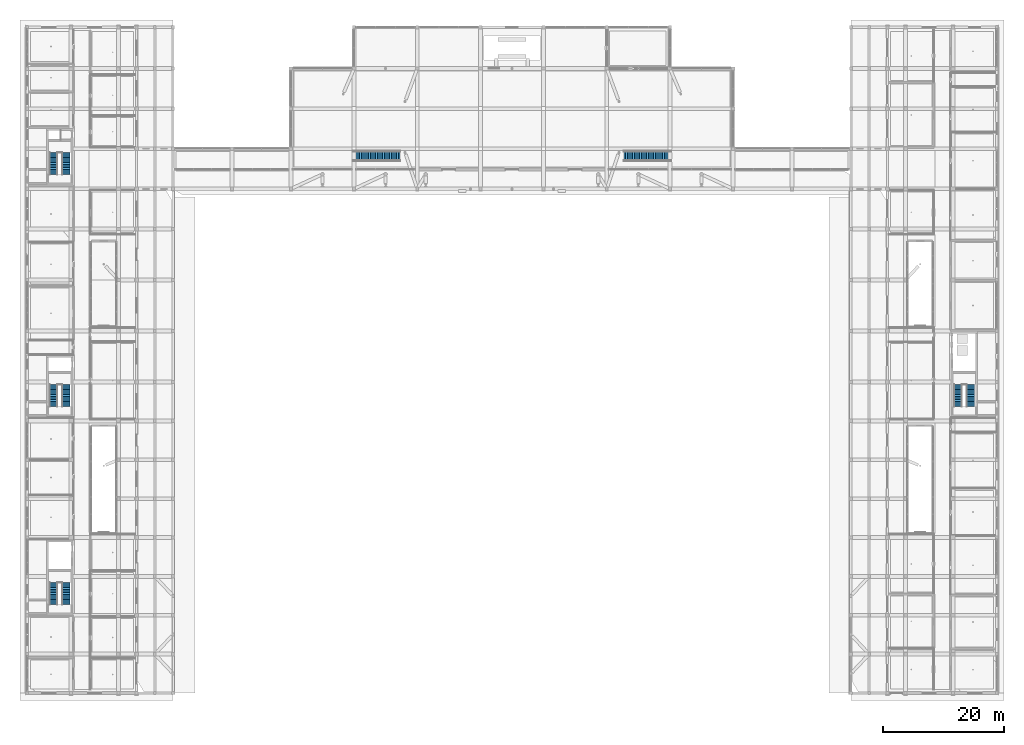
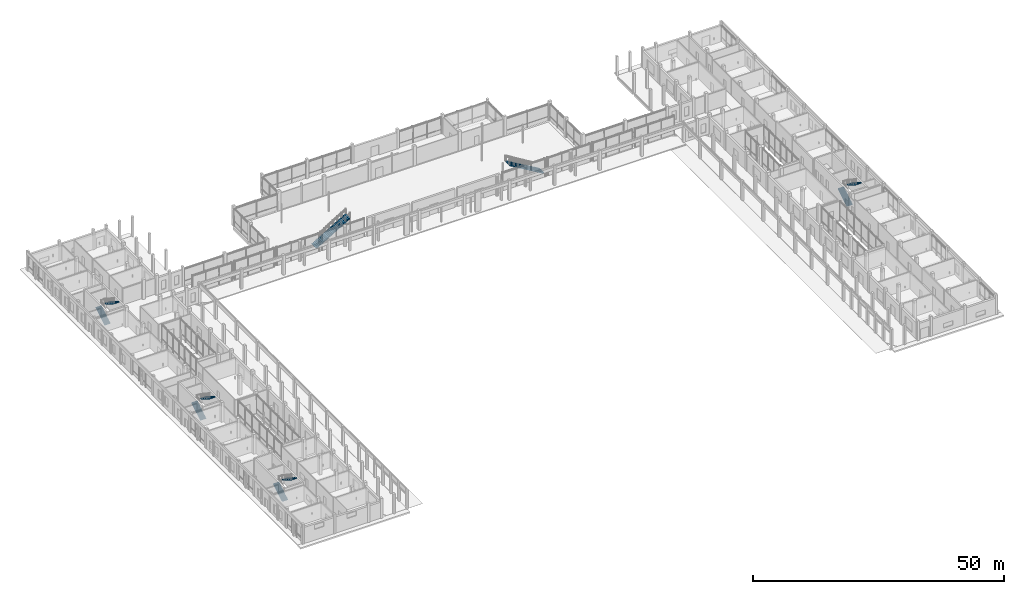
# One storey, part 57 of 88: 10 stair flights, 6 elements without a shape of their own.
"""IFC4 building model written with IfcOpenShell, lengths in metres."""

import ifcopenshell
import ifcopenshell.guid

model = None  # the IFC model being written
_history = None  # IfcOwnerHistory: only IFC2X3 demands one
_inside = {}  # id of a spatial element -> (the spatial element, [elements in it])
_under = {}  # id of a project, library or spatial element -> (it, [spatial elements below it])
_declared = {}  # id of a project -> (the project, [libraries it declares])
_typed = {}  # id of a type object -> (the type object, [elements of that type])
_made_of = {}  # id of a material, layer set ... -> (it, [elements and type objects made of it])


def new_model(schema):
    """Start an empty IFC model of exactly this schema.

    Asked for "IFC4X3", IfcOpenShell would pick the latest addendum, in which some entities
    have other attributes; the version numbers below select the first issue.
    IFC2X3 requires an IfcOwnerHistory on every rooted entity: one is made here for all.
    """
    global model, _history
    if schema == "IFC4X3":
        model = ifcopenshell.file(schema_version=(4, 3, 0, 0))
    else:
        model = ifcopenshell.file(schema=schema)
    _inside.clear()
    _under.clear()
    _declared.clear()
    _typed.clear()
    _made_of.clear()
    _history = None
    if model.schema == "IFC2X3":
        org = make("IfcOrganization", Name="unknown")
        user = make(
            "IfcPersonAndOrganization",
            ThePerson=make("IfcPerson", FamilyName="unknown"),
            TheOrganization=org,
        )
        app = make(
            "IfcApplication",
            ApplicationDeveloper=org,
            Version="unknown",
            ApplicationFullName="unknown",
            ApplicationIdentifier="unknown",
        )
        _history = make(
            "IfcOwnerHistory",
            OwningUser=user,
            OwningApplication=app,
            ChangeAction="ADDED",
            CreationDate=0,
        )
    return model


def make(cls, **values):
    """One entity of the class cls with the attributes given. An attribute that is None is left unset."""
    return model.create_entity(
        cls, **{name: value for name, value in values.items() if value is not None}
    )


def rooted(cls, **values):
    """An entity with a GlobalId (a new one), such as an element, a storey or a relation."""
    return make(cls, GlobalId=ifcopenshell.guid.new(), OwnerHistory=_history, **values)


def si_unit(unit_type, name, prefix=None):
    """IfcSIUnit, for example si_unit("LENGTHUNIT", "METRE", prefix="MILLI")."""
    return make("IfcSIUnit", UnitType=unit_type, Prefix=prefix, Name=name)


def derived_unit(unit_type, elements):
    """IfcDerivedUnit: a product of units, each with its exponent."""
    return make(
        "IfcDerivedUnit",
        Elements=[
            make("IfcDerivedUnitElement", Unit=unit, Exponent=power)
            for unit, power in elements
        ],
        UnitType=unit_type,
    )


def assignment(units):
    """IfcUnitAssignment: the units of a project."""
    return None if units is None else make("IfcUnitAssignment", Units=units)


def point(xyz):
    """IfcCartesianPoint."""
    return None if xyz is None else make("IfcCartesianPoint", Coordinates=xyz)


def direction(xyz):
    """IfcDirection."""
    return None if xyz is None else make("IfcDirection", DirectionRatios=xyz)


def frame(location, z_axis=None, x_axis=None):
    """IfcAxis2Placement3D, a coordinate frame: its origin and axes. An axis left out is left unset."""
    return make(
        "IfcAxis2Placement3D",
        Location=point(location),
        Axis=direction(z_axis),
        RefDirection=direction(x_axis),
    )


def origin():
    """The frame at (0, 0, 0) with its axes left unset."""
    return frame((0.0, 0.0, 0.0))


def place(relative_to, where):
    """IfcLocalPlacement: puts the frame where relative to a parent placement (None: the world)."""
    return make(
        "IfcLocalPlacement", PlacementRelTo=relative_to, RelativePlacement=where
    )


def context(
    kind, dimensions, precision=None, world=None, true_north=None, identifier=None
):
    """IfcGeometricRepresentationContext, for example the 3D "Model" context."""
    return make(
        "IfcGeometricRepresentationContext",
        ContextIdentifier=identifier,
        ContextType=kind,
        CoordinateSpaceDimension=dimensions,
        Precision=precision,
        WorldCoordinateSystem=world,
        TrueNorth=true_north,
    )


def subcontext(parent, identifier, kind, view, scale=None):
    """IfcGeometricRepresentationSubContext, for example "Body" below "Model"."""
    return make(
        "IfcGeometricRepresentationSubContext",
        ContextIdentifier=identifier,
        ContextType=kind,
        ParentContext=parent,
        TargetScale=scale,
        TargetView=view,
    )


def project(units=None, contexts=None):
    """IfcProject with its units and contexts."""
    return rooted(
        "IfcProject",
        Name="project",
        RepresentationContexts=contexts,
        UnitsInContext=assignment(units),
    )


def spatial(cls, under=None, at=None, **own):
    """A site, building, storey or space (cls), placed at a placement, below another one or the project."""
    s = rooted(cls, ObjectPlacement=at, **own)
    if under is not None:
        _under.setdefault(under.id(), (under, []))[1].append(s)
    return s


def polyline(points):
    """IfcPolyline through the points."""
    return make("IfcPolyline", Points=[point(p) for p in points])


def outline(outer, holes=None, kind="AREA"):
    """IfcArbitraryClosedProfileDef: a profile drawn as a closed curve; with holes, ...WithVoids."""
    if holes is None:
        return make("IfcArbitraryClosedProfileDef", ProfileType=kind, OuterCurve=outer)
    return make(
        "IfcArbitraryProfileDefWithVoids",
        ProfileType=kind,
        OuterCurve=outer,
        InnerCurves=holes,
    )


def extrude(swept, where, along, depth):
    """IfcExtrudedAreaSolid: the profile swept, set in the frame where, extruded along a direction by depth."""
    return make(
        "IfcExtrudedAreaSolid",
        SweptArea=swept,
        Position=where,
        ExtrudedDirection=direction(along),
        Depth=depth,
    )


def shape(context_of_items, identifier, shape_type, items):
    """IfcShapeRepresentation: the items that make up one representation, for example the "Body"."""
    return make(
        "IfcShapeRepresentation",
        ContextOfItems=context_of_items,
        RepresentationIdentifier=identifier,
        RepresentationType=shape_type,
        Items=items,
    )


def material(Name=None, Category=None):
    """IfcMaterial."""
    return make("IfcMaterial", Name=Name, Category=Category)


def made_of(thing, what):
    """Note that an element or type object is made of a material, layer set ...; save() writes the relation."""
    if what is not None:
        _made_of.setdefault(what.id(), (what, []))[1].append(thing)
    return thing


def type_object(cls, material=None, **own):
    """A type object (cls), such as IfcWallType, which elements share."""
    return made_of(rooted(cls, **own), material)


def element(
    cls,
    number,
    at=None,
    inside=None,
    cuts=None,
    type_object=None,
    material=None,
    context=None,
    identifier="Body",
    shape_type=None,
    held_by="IfcProductDefinitionShape",
    body=None,
    shapes=None,
    **own,
):
    """One element of the class cls, such as IfcWall. Its Tag is "e" and its number.

    at: its placement. inside: the storey or other place that contains it. cuts: it is an
    opening in that element (IfcRelVoidsElement). A single representation is given by context,
    identifier, shape_type and body (its items); several are given by shapes. held_by: the class
    of the entity that holds the representations. save() writes the other relations.
    """
    e = rooted(cls, Tag="e%d" % number, ObjectPlacement=at, **own)
    if body is not None:
        shapes = [shape(context, identifier, shape_type, body)]
    if shapes is not None:
        e.Representation = make(held_by, Representations=shapes)
    if inside is not None:
        _inside.setdefault(inside.id(), (inside, []))[1].append(e)
    if cuts is not None:
        rooted(
            "IfcRelVoidsElement", RelatingBuildingElement=cuts, RelatedOpeningElement=e
        )
    if type_object is not None:
        _typed.setdefault(type_object.id(), (type_object, []))[1].append(e)
    return made_of(e, material)


def aggregate(whole, parts):
    """IfcRelAggregates: a whole, such as a stair, and the parts it consists of."""
    return rooted("IfcRelAggregates", RelatingObject=whole, RelatedObjects=parts)


def save(model, path):
    """Write the relations noted so far, then the file.

    IfcRelAggregates (storeys below a building ...), IfcRelContainedInSpatialStructure (elements
    in a storey), IfcRelDefinesByType, IfcRelAssociatesMaterial and IfcRelDeclares: one each for
    every whole, place, type object, material and project.
    """
    for whole, parts in _under.values():
        aggregate(whole, parts)
    for where, things in _inside.values():
        rooted(
            "IfcRelContainedInSpatialStructure",
            RelatedElements=things,
            RelatingStructure=where,
        )
    for kind, things in _typed.values():
        rooted("IfcRelDefinesByType", RelatedObjects=things, RelatingType=kind)
    for what, things in _made_of.values():
        rooted("IfcRelAssociatesMaterial", RelatedObjects=things, RelatingMaterial=what)
    for by, libraries in _declared.values():
        rooted("IfcRelDeclares", RelatingContext=by, RelatedDefinitions=libraries)
    model.write(path)


model = new_model("IFC4")

# Units and contexts
model_context = context("Model", 3, precision=1e-05, world=origin(), true_north=direction((0.0, 1.0)))
body_context = subcontext(model_context, "Body", "Model", "MODEL_VIEW")
ifc_project = project(units=[si_unit("LENGTHUNIT", "METRE"), si_unit("AREAUNIT", "SQUARE_METRE"), si_unit("VOLUMEUNIT", "CUBIC_METRE"), si_unit("PLANEANGLEUNIT", "RADIAN"), si_unit("MASSUNIT", "GRAM", prefix="KILO"), derived_unit("THERMALTRANSMITTANCEUNIT", [(si_unit("POWERUNIT", "WATT"), 1), (si_unit("LENGTHUNIT", "METRE"), -2), (si_unit("THERMODYNAMICTEMPERATUREUNIT", "KELVIN"), -1)])], contexts=[model_context])

# Site, building, storey
site_placement = place(None, origin())
site = spatial("IfcSite", under=ifc_project, at=site_placement, CompositionType="ELEMENT")
building_placement = place(site_placement, origin())
building = spatial("IfcBuilding", under=site, at=building_placement, Name="Braskholm Square Health Centre", CompositionType="ELEMENT")
storey_placement = place(building_placement, origin())
storey = spatial("IfcBuildingStorey", under=building, at=storey_placement, Name="L01", CompositionType="ELEMENT", Elevation=0.0)

# Stair, stair flights
ifc_material = material(Name="Concrete C35/45 (f'c = 35 MPa)", Category="concrete")
stair_type_1 = type_object("IfcStairType", Name="ExitReturnStairL01", PredefinedType="HALF_TURN_STAIR", material=ifc_material)
stair_1_placement = place(storey_placement, origin())
stair_1 = element("IfcStair", 1, at=stair_1_placement, inside=storey, type_object=stair_type_1, Name="Enclosed exit stair ST-01 L01 to L02", PredefinedType="HALF_TURN_STAIR")
stair_flight_type_1 = type_object("IfcStairFlightType", Name="ExitStairFlightL01", PredefinedType="STRAIGHT", material=ifc_material)
stair_flight_1_placement = place(storey_placement, frame((8.510009765625, 18.760009765625, 0.0), z_axis=(0.0, 0.0, 1.0), x_axis=(0.0, 1.0, 0.0)))
stair_flight_1 = element("IfcStairFlight", 2, at=stair_flight_1_placement, type_object=stair_flight_type_1, Name="Stair ST-01 lower flight L01", NumberOfRisers=14, NumberOfTreads=13, PredefinedType="STRAIGHT", RiserHeight=0.171429, TreadLength=0.28, context=body_context, shape_type="SweptSolid", body=[
    extrude(outline(polyline([(0.0, 0.0), (0.0, 0.17138671875), (0.280029296875, 0.17138671875), (0.280029296875, 0.3427734375), (0.56005859375, 0.3427734375), (0.56005859375, 0.514404296875), (0.840087890625, 0.514404296875), (0.840087890625, 0.685791015625), (1.1201171875, 0.685791015625), (1.1201171875, 0.857177734375), (1.39990234375, 0.857177734375), (1.39990234375, 1.028564453125), (1.679931640625, 1.028564453125), (1.679931640625, 1.199951171875), (1.9599609375, 1.199951171875), (1.9599609375, 1.371337890625), (2.239990234375, 1.371337890625), (2.239990234375, 1.54296875), (2.52001953125, 1.54296875), (2.52001953125, 1.71435546875), (2.800048828125, 1.71435546875), (2.800048828125, 1.8857421875), (3.080078125, 1.8857421875), (3.080078125, 2.05712890625), (3.360107421875, 2.05712890625), (3.360107421875, 2.228515625), (3.639892578125, 2.228515625), (3.639892578125, 2.39990234375), (3.639892578125, 2.041015625), (0.30615234375, 0.0), (0.0, 0.0)])), frame((0.0, 0.66015625, 0.0), z_axis=(0.0, -1.0, 0.0), x_axis=(1.0, 0.0, 0.0)), (0.0, 0.0, 1.0), 1.320068359375),
])
stair_flight_2_placement = place(storey_placement, frame((10.590087890625, 22.39990234375, 2.39990234375), z_axis=(0.0, 0.0, 1.0), x_axis=(0.0, -1.0, 0.0)))
stair_flight_2 = element("IfcStairFlight", 3, at=stair_flight_2_placement, type_object=stair_flight_type_1, Name="Stair ST-01 upper flight L01", NumberOfRisers=14, NumberOfTreads=13, PredefinedType="STRAIGHT", RiserHeight=0.171429, TreadLength=0.28, context=body_context, shape_type="SweptSolid", body=[
    extrude(outline(polyline([(0.0, 0.0), (0.0, 0.17138671875), (0.280029296875, 0.17138671875), (0.280029296875, 0.3427734375), (0.56005859375, 0.3427734375), (0.56005859375, 0.514404296875), (0.840087890625, 0.514404296875), (0.840087890625, 0.685791015625), (1.1201171875, 0.685791015625), (1.1201171875, 0.857177734375), (1.39990234375, 0.857177734375), (1.39990234375, 1.028564453125), (1.679931640625, 1.028564453125), (1.679931640625, 1.199951171875), (1.9599609375, 1.199951171875), (1.9599609375, 1.371337890625), (2.239990234375, 1.371337890625), (2.239990234375, 1.54296875), (2.52001953125, 1.54296875), (2.52001953125, 1.71435546875), (2.800048828125, 1.71435546875), (2.800048828125, 1.8857421875), (3.080078125, 1.8857421875), (3.080078125, 2.05712890625), (3.360107421875, 2.05712890625), (3.360107421875, 2.228515625), (3.639892578125, 2.228515625), (3.639892578125, 2.39990234375), (3.639892578125, 2.041015625), (0.30615234375, 0.0), (0.0, 0.0)])), frame((0.0, 0.66015625, 0.0), z_axis=(0.0, -1.0, 0.0), x_axis=(1.0, 0.0, 0.0)), (0.0, 0.0, 1.0), 1.320068359375),
])
aggregate(stair_1, [stair_flight_1, stair_flight_2])

stair_2_placement = place(storey_placement, origin())
stair_2 = element("IfcStair", 4, at=stair_2_placement, inside=storey, type_object=stair_type_1, Name="Enclosed exit stair ST-02 L01 to L02", PredefinedType="HALF_TURN_STAIR")
stair_flight_3_placement = place(storey_placement, frame((8.510009765625, 51.360107421875, 0.0), z_axis=(0.0, 0.0, 1.0), x_axis=(0.0, 1.0, 0.0)))
stair_flight_3 = element("IfcStairFlight", 5, at=stair_flight_3_placement, type_object=stair_flight_type_1, Name="Stair ST-02 lower flight L01", NumberOfRisers=14, NumberOfTreads=13, PredefinedType="STRAIGHT", RiserHeight=0.171429, TreadLength=0.28, context=body_context, shape_type="SweptSolid", body=[
    extrude(outline(polyline([(0.0, 0.0), (0.0, 0.17138671875), (0.280029296875, 0.17138671875), (0.280029296875, 0.3427734375), (0.56005859375, 0.3427734375), (0.56005859375, 0.514404296875), (0.840087890625, 0.514404296875), (0.840087890625, 0.685791015625), (1.1201171875, 0.685791015625), (1.1201171875, 0.857177734375), (1.39990234375, 0.857177734375), (1.39990234375, 1.028564453125), (1.679931640625, 1.028564453125), (1.679931640625, 1.199951171875), (1.9599609375, 1.199951171875), (1.9599609375, 1.371337890625), (2.239990234375, 1.371337890625), (2.239990234375, 1.54296875), (2.52001953125, 1.54296875), (2.52001953125, 1.71435546875), (2.800048828125, 1.71435546875), (2.800048828125, 1.8857421875), (3.080078125, 1.8857421875), (3.080078125, 2.05712890625), (3.360107421875, 2.05712890625), (3.360107421875, 2.228515625), (3.639892578125, 2.228515625), (3.639892578125, 2.39990234375), (3.639892578125, 2.041015625), (0.30615234375, 0.0), (0.0, 0.0)])), frame((0.0, 0.66015625, 0.0), z_axis=(0.0, -1.0, 0.0), x_axis=(1.0, 0.0, 0.0)), (0.0, 0.0, 1.0), 1.320068359375),
])
stair_flight_4_placement = place(storey_placement, frame((10.590087890625, 55.0, 2.39990234375), z_axis=(0.0, 0.0, 1.0), x_axis=(0.0, -1.0, 0.0)))
stair_flight_4 = element("IfcStairFlight", 6, at=stair_flight_4_placement, type_object=stair_flight_type_1, Name="Stair ST-02 upper flight L01", NumberOfRisers=14, NumberOfTreads=13, PredefinedType="STRAIGHT", RiserHeight=0.171429, TreadLength=0.28, context=body_context, shape_type="SweptSolid", body=[
    extrude(outline(polyline([(0.0, 0.0), (0.0, 0.17138671875), (0.280029296875, 0.17138671875), (0.280029296875, 0.3427734375), (0.56005859375, 0.3427734375), (0.56005859375, 0.514404296875), (0.840087890625, 0.514404296875), (0.840087890625, 0.685791015625), (1.1201171875, 0.685791015625), (1.1201171875, 0.857177734375), (1.39990234375, 0.857177734375), (1.39990234375, 1.028564453125), (1.679931640625, 1.028564453125), (1.679931640625, 1.199951171875), (1.9599609375, 1.199951171875), (1.9599609375, 1.371337890625), (2.239990234375, 1.371337890625), (2.239990234375, 1.54296875), (2.52001953125, 1.54296875), (2.52001953125, 1.71435546875), (2.800048828125, 1.71435546875), (2.800048828125, 1.8857421875), (3.080078125, 1.8857421875), (3.080078125, 2.05712890625), (3.360107421875, 2.05712890625), (3.360107421875, 2.228515625), (3.639892578125, 2.228515625), (3.639892578125, 2.39990234375), (3.639892578125, 2.041015625), (0.30615234375, 0.0), (0.0, 0.0)])), frame((0.0, 0.66015625, 0.0), z_axis=(0.0, -1.0, 0.0), x_axis=(1.0, 0.0, 0.0)), (0.0, 0.0, 1.0), 1.320068359375),
])
aggregate(stair_2, [stair_flight_3, stair_flight_4])

stair_3_placement = place(storey_placement, origin())
stair_3 = element("IfcStair", 7, at=stair_3_placement, inside=storey, type_object=stair_type_1, Name="Enclosed exit stair ST-03 L01 to L02", PredefinedType="HALF_TURN_STAIR")
stair_flight_5_placement = place(storey_placement, frame((8.510009765625, 89.56005859375, 0.0), z_axis=(0.0, 0.0, 1.0), x_axis=(0.0, 1.0, 0.0)))
stair_flight_5 = element("IfcStairFlight", 8, at=stair_flight_5_placement, type_object=stair_flight_type_1, Name="Stair ST-03 lower flight L01", NumberOfRisers=14, NumberOfTreads=13, PredefinedType="STRAIGHT", RiserHeight=0.171429, TreadLength=0.28, context=body_context, shape_type="SweptSolid", body=[
    extrude(outline(polyline([(0.0, 0.0), (0.0, 0.17138671875), (0.280029296875, 0.17138671875), (0.280029296875, 0.3427734375), (0.56005859375, 0.3427734375), (0.56005859375, 0.514404296875), (0.840087890625, 0.514404296875), (0.840087890625, 0.685791015625), (1.1201171875, 0.685791015625), (1.1201171875, 0.857177734375), (1.39990234375, 0.857177734375), (1.39990234375, 1.028564453125), (1.679931640625, 1.028564453125), (1.679931640625, 1.199951171875), (1.9599609375, 1.199951171875), (1.9599609375, 1.371337890625), (2.239990234375, 1.371337890625), (2.239990234375, 1.54296875), (2.52001953125, 1.54296875), (2.52001953125, 1.71435546875), (2.800048828125, 1.71435546875), (2.800048828125, 1.8857421875), (3.080078125, 1.8857421875), (3.080078125, 2.05712890625), (3.360107421875, 2.05712890625), (3.360107421875, 2.228515625), (3.639892578125, 2.228515625), (3.639892578125, 2.39990234375), (3.639892578125, 2.041015625), (0.30615234375, 0.0), (0.0, 0.0)])), frame((0.0, 0.66015625, 0.0), z_axis=(0.0, -1.0, 0.0), x_axis=(1.0, 0.0, 0.0)), (0.0, 0.0, 1.0), 1.320068359375),
])
stair_flight_6_placement = place(storey_placement, frame((10.590087890625, 93.199951171875, 2.39990234375), z_axis=(0.0, 0.0, 1.0), x_axis=(0.0, -1.0, 0.0)))
stair_flight_6 = element("IfcStairFlight", 9, at=stair_flight_6_placement, type_object=stair_flight_type_1, Name="Stair ST-03 upper flight L01", NumberOfRisers=14, NumberOfTreads=13, PredefinedType="STRAIGHT", RiserHeight=0.171429, TreadLength=0.28, context=body_context, shape_type="SweptSolid", body=[
    extrude(outline(polyline([(0.0, 0.0), (0.0, 0.17138671875), (0.280029296875, 0.17138671875), (0.280029296875, 0.3427734375), (0.56005859375, 0.3427734375), (0.56005859375, 0.514404296875), (0.840087890625, 0.514404296875), (0.840087890625, 0.685791015625), (1.1201171875, 0.685791015625), (1.1201171875, 0.857177734375), (1.39990234375, 0.857177734375), (1.39990234375, 1.028564453125), (1.679931640625, 1.028564453125), (1.679931640625, 1.199951171875), (1.9599609375, 1.199951171875), (1.9599609375, 1.371337890625), (2.239990234375, 1.371337890625), (2.239990234375, 1.54296875), (2.52001953125, 1.54296875), (2.52001953125, 1.71435546875), (2.800048828125, 1.71435546875), (2.800048828125, 1.8857421875), (3.080078125, 1.8857421875), (3.080078125, 2.05712890625), (3.360107421875, 2.05712890625), (3.360107421875, 2.228515625), (3.639892578125, 2.228515625), (3.639892578125, 2.39990234375), (3.639892578125, 2.041015625), (0.30615234375, 0.0), (0.0, 0.0)])), frame((0.0, 0.66015625, 0.0), z_axis=(0.0, -1.0, 0.0), x_axis=(1.0, 0.0, 0.0)), (0.0, 0.0, 1.0), 1.320068359375),
])
aggregate(stair_3, [stair_flight_5, stair_flight_6])

stair_4_placement = place(storey_placement, origin())
stair_4 = element("IfcStair", 10, at=stair_4_placement, inside=storey, type_object=stair_type_1, Name="Enclosed exit stair ST-04 L01 to L02", PredefinedType="HALF_TURN_STAIR")
stair_flight_7_placement = place(storey_placement, frame((157.409912109375, 51.360107421875, 0.0), z_axis=(0.0, 0.0, 1.0), x_axis=(0.0, 1.0, 0.0)))
stair_flight_7 = element("IfcStairFlight", 11, at=stair_flight_7_placement, type_object=stair_flight_type_1, Name="Stair ST-04 lower flight L01", NumberOfRisers=14, NumberOfTreads=13, PredefinedType="STRAIGHT", RiserHeight=0.171429, TreadLength=0.28, context=body_context, shape_type="SweptSolid", body=[
    extrude(outline(polyline([(0.0, 0.0), (0.0, 0.17138671875), (0.280029296875, 0.17138671875), (0.280029296875, 0.3427734375), (0.56005859375, 0.3427734375), (0.56005859375, 0.514404296875), (0.840087890625, 0.514404296875), (0.840087890625, 0.685791015625), (1.1201171875, 0.685791015625), (1.1201171875, 0.857177734375), (1.39990234375, 0.857177734375), (1.39990234375, 1.028564453125), (1.679931640625, 1.028564453125), (1.679931640625, 1.199951171875), (1.9599609375, 1.199951171875), (1.9599609375, 1.371337890625), (2.239990234375, 1.371337890625), (2.239990234375, 1.54296875), (2.52001953125, 1.54296875), (2.52001953125, 1.71435546875), (2.800048828125, 1.71435546875), (2.800048828125, 1.8857421875), (3.080078125, 1.8857421875), (3.080078125, 2.05712890625), (3.360107421875, 2.05712890625), (3.360107421875, 2.228515625), (3.639892578125, 2.228515625), (3.639892578125, 2.39990234375), (3.639892578125, 2.041015625), (0.30615234375, 0.0), (0.0, 0.0)])), frame((0.0, 0.66015625, 0.0), z_axis=(0.0, -1.0, 0.0), x_axis=(1.0, 0.0, 0.0)), (0.0, 0.0, 1.0), 1.320068359375),
])
stair_flight_8_placement = place(storey_placement, frame((159.489990234375, 55.0, 2.39990234375), z_axis=(0.0, 0.0, 1.0), x_axis=(0.0, -1.0, 0.0)))
stair_flight_8 = element("IfcStairFlight", 12, at=stair_flight_8_placement, type_object=stair_flight_type_1, Name="Stair ST-04 upper flight L01", NumberOfRisers=14, NumberOfTreads=13, PredefinedType="STRAIGHT", RiserHeight=0.171429, TreadLength=0.28, context=body_context, shape_type="SweptSolid", body=[
    extrude(outline(polyline([(0.0, 0.0), (0.0, 0.17138671875), (0.280029296875, 0.17138671875), (0.280029296875, 0.3427734375), (0.56005859375, 0.3427734375), (0.56005859375, 0.514404296875), (0.840087890625, 0.514404296875), (0.840087890625, 0.685791015625), (1.1201171875, 0.685791015625), (1.1201171875, 0.857177734375), (1.39990234375, 0.857177734375), (1.39990234375, 1.028564453125), (1.679931640625, 1.028564453125), (1.679931640625, 1.199951171875), (1.9599609375, 1.199951171875), (1.9599609375, 1.371337890625), (2.239990234375, 1.371337890625), (2.239990234375, 1.54296875), (2.52001953125, 1.54296875), (2.52001953125, 1.71435546875), (2.800048828125, 1.71435546875), (2.800048828125, 1.8857421875), (3.080078125, 1.8857421875), (3.080078125, 2.05712890625), (3.360107421875, 2.05712890625), (3.360107421875, 2.228515625), (3.639892578125, 2.228515625), (3.639892578125, 2.39990234375), (3.639892578125, 2.041015625), (0.30615234375, 0.0), (0.0, 0.0)])), frame((0.0, 0.66015625, 0.0), z_axis=(0.0, -1.0, 0.0), x_axis=(1.0, 0.0, 0.0)), (0.0, 0.0, 1.0), 1.320068359375),
])
aggregate(stair_4, [stair_flight_7, stair_flight_8])

# Stair, stair flight
stair_type_2 = type_object("IfcStairType", Name="StraightRunStairHallGrand", PredefinedType="STRAIGHT_RUN_STAIR", material=ifc_material)
stair_5_placement = place(storey_placement, origin())
stair_5 = element("IfcStair", 13, at=stair_5_placement, inside=storey, type_object=stair_type_2, Name="Enclosed atrium feature stair ST-05", PredefinedType="STRAIGHT_RUN_STAIR")
stair_flight_type_2 = type_object("IfcStairFlightType", Name="StraightFlightHallGrand", PredefinedType="STRAIGHT", material=ifc_material)
stair_flight_9_placement = place(storey_placement, frame((57.77001953125, 92.60009765625, 0.0), z_axis=(0.0, 0.0, 1.0), x_axis=(1.0, 0.0, 0.0)))
stair_flight_9 = element("IfcStairFlight", 14, at=stair_flight_9_placement, type_object=stair_flight_type_2, Name="Stair ST-05 straight flight", NumberOfRisers=28, NumberOfTreads=27, PredefinedType="STRAIGHT", RiserHeight=0.171429, TreadLength=0.29, context=body_context, shape_type="SweptSolid", body=[
    extrude(outline(polyline([(0.0, 0.0), (0.0, 0.17138671875), (0.2900390625, 0.17138671875), (0.2900390625, 0.3427734375), (0.580078125, 0.3427734375), (0.580078125, 0.514404296875), (0.8701171875, 0.514404296875), (0.8701171875, 0.685791015625), (1.159912109375, 0.685791015625), (1.159912109375, 0.857177734375), (1.449951171875, 0.857177734375), (1.449951171875, 1.028564453125), (1.739990234375, 1.028564453125), (1.739990234375, 1.199951171875), (2.030029296875, 1.199951171875), (2.030029296875, 1.371337890625), (2.320068359375, 1.371337890625), (2.320068359375, 1.54296875), (2.610107421875, 1.54296875), (2.610107421875, 1.71435546875), (2.89990234375, 1.71435546875), (2.89990234375, 1.8857421875), (3.18994140625, 1.8857421875), (3.18994140625, 2.05712890625), (3.47998046875, 2.05712890625), (3.47998046875, 2.228515625), (3.77001953125, 2.228515625), (3.77001953125, 2.39990234375), (4.06005859375, 2.39990234375), (4.06005859375, 2.571533203125), (4.35009765625, 2.571533203125), (4.35009765625, 2.742919921875), (4.639892578125, 2.742919921875), (4.639892578125, 2.914306640625), (4.929931640625, 2.914306640625), (4.929931640625, 3.085693359375), (5.219970703125, 3.085693359375), (5.219970703125, 3.257080078125), (5.510009765625, 3.257080078125), (5.510009765625, 3.428466796875), (5.800048828125, 3.428466796875), (5.800048828125, 3.60009765625), (6.090087890625, 3.60009765625), (6.090087890625, 3.771484375), (6.3798828125, 3.771484375), (6.3798828125, 3.94287109375), (6.669921875, 3.94287109375), (6.669921875, 4.1142578125), (6.9599609375, 4.1142578125), (6.9599609375, 4.28564453125), (7.25, 4.28564453125), (7.25, 4.457275390625), (7.5400390625, 4.457275390625), (7.5400390625, 4.628662109375), (7.830078125, 4.628662109375), (7.830078125, 4.800048828125), (7.830078125, 4.419677734375), (0.353515625, 0.0), (0.0, 0.0)])), frame((0.0, 0.89990234375, 0.0), z_axis=(0.0, -1.0, 0.0), x_axis=(1.0, 0.0, 0.0)), (0.0, 0.0, 1.0), 1.800048828125),
])
aggregate(stair_5, [stair_flight_9])

stair_6_placement = place(storey_placement, origin())
stair_6 = element("IfcStair", 15, at=stair_6_placement, inside=storey, type_object=stair_type_2, Name="Enclosed atrium feature stair ST-06", PredefinedType="STRAIGHT_RUN_STAIR")
stair_flight_10_placement = place(storey_placement, frame((110.22998046875, 92.60009765625, 0.0), z_axis=(0.0, 0.0, 1.0), x_axis=(-1.0, 0.0, 0.0)))
stair_flight_10 = element("IfcStairFlight", 16, at=stair_flight_10_placement, type_object=stair_flight_type_2, Name="Stair ST-06 straight flight", NumberOfRisers=28, NumberOfTreads=27, PredefinedType="STRAIGHT", RiserHeight=0.171429, TreadLength=0.29, context=body_context, shape_type="SweptSolid", body=[
    extrude(outline(polyline([(0.0, 0.0), (0.0, 0.17138671875), (0.2900390625, 0.17138671875), (0.2900390625, 0.3427734375), (0.580078125, 0.3427734375), (0.580078125, 0.514404296875), (0.8701171875, 0.514404296875), (0.8701171875, 0.685791015625), (1.159912109375, 0.685791015625), (1.159912109375, 0.857177734375), (1.449951171875, 0.857177734375), (1.449951171875, 1.028564453125), (1.739990234375, 1.028564453125), (1.739990234375, 1.199951171875), (2.030029296875, 1.199951171875), (2.030029296875, 1.371337890625), (2.320068359375, 1.371337890625), (2.320068359375, 1.54296875), (2.610107421875, 1.54296875), (2.610107421875, 1.71435546875), (2.89990234375, 1.71435546875), (2.89990234375, 1.8857421875), (3.18994140625, 1.8857421875), (3.18994140625, 2.05712890625), (3.47998046875, 2.05712890625), (3.47998046875, 2.228515625), (3.77001953125, 2.228515625), (3.77001953125, 2.39990234375), (4.06005859375, 2.39990234375), (4.06005859375, 2.571533203125), (4.35009765625, 2.571533203125), (4.35009765625, 2.742919921875), (4.639892578125, 2.742919921875), (4.639892578125, 2.914306640625), (4.929931640625, 2.914306640625), (4.929931640625, 3.085693359375), (5.219970703125, 3.085693359375), (5.219970703125, 3.257080078125), (5.510009765625, 3.257080078125), (5.510009765625, 3.428466796875), (5.800048828125, 3.428466796875), (5.800048828125, 3.60009765625), (6.090087890625, 3.60009765625), (6.090087890625, 3.771484375), (6.3798828125, 3.771484375), (6.3798828125, 3.94287109375), (6.669921875, 3.94287109375), (6.669921875, 4.1142578125), (6.9599609375, 4.1142578125), (6.9599609375, 4.28564453125), (7.25, 4.28564453125), (7.25, 4.457275390625), (7.5400390625, 4.457275390625), (7.5400390625, 4.628662109375), (7.830078125, 4.628662109375), (7.830078125, 4.800048828125), (7.830078125, 4.419677734375), (0.353515625, 0.0), (0.0, 0.0)])), frame((0.0, 0.89990234375, 0.0), z_axis=(0.0, -1.0, 0.0), x_axis=(1.0, 0.0, 0.0)), (0.0, 0.0, 1.0), 1.800048828125),
])
aggregate(stair_6, [stair_flight_10])

save(model, "model.ifc")
